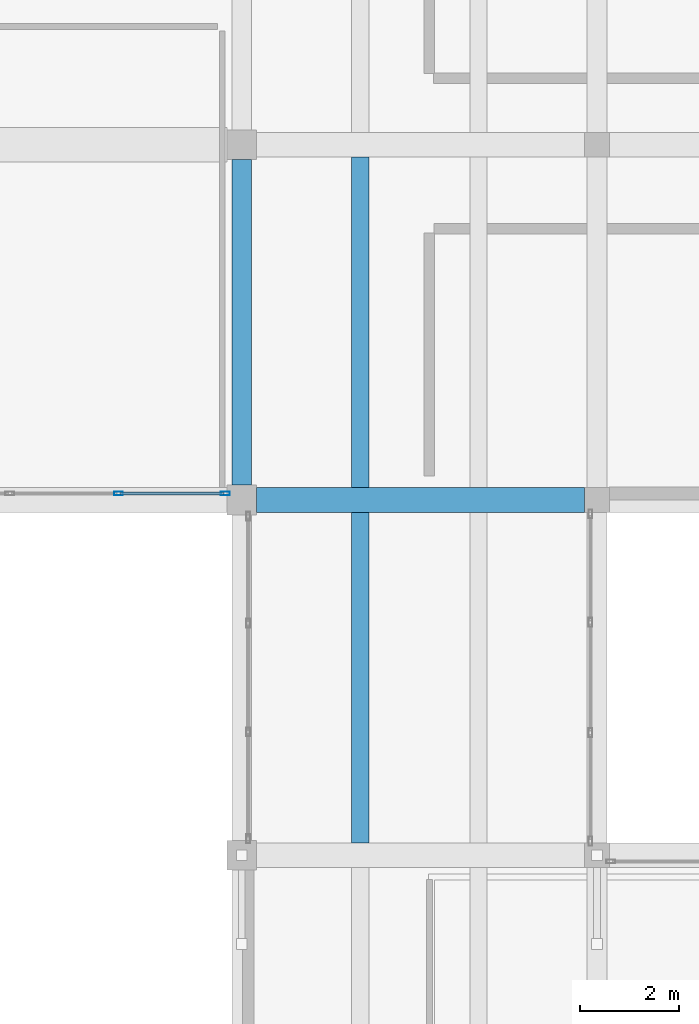
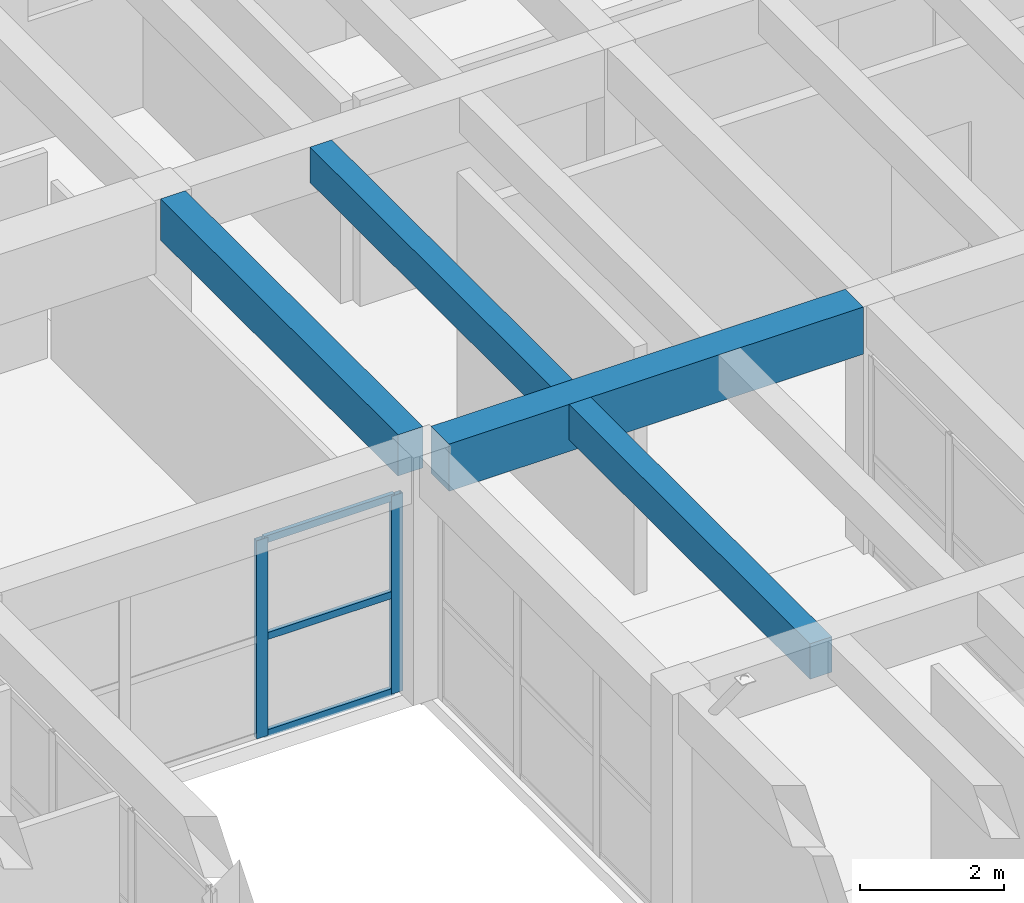
# One storey, part 74 of 153: 5 members, 4 beams, 1 element without a shape of its own.
"""IFC4 building model written with IfcOpenShell, lengths in metres."""

from ifc_helpers import new_model, si_unit, direction, frame, origin, origin_2d, place, context, subcontext, project, spatial, rectangle, hollow_rectangle, extrude, material, material_profile, profile_set, type_object, element, aggregate, save


model = new_model("IFC4")

# Units and contexts
model_context = context("Model", 3, precision=1e-05, world=origin(), true_north=direction((0.0, 1.0)))
body_context = subcontext(model_context, "Body", "Model", "MODEL_VIEW")
ifc_project = project(units=[si_unit("LENGTHUNIT", "METRE"), si_unit("AREAUNIT", "SQUARE_METRE"), si_unit("VOLUMEUNIT", "CUBIC_METRE"), si_unit("PLANEANGLEUNIT", "RADIAN"), si_unit("MASSUNIT", "GRAM", prefix="KILO")], contexts=[model_context])

# Site, building, storey
site_placement = place(None, origin())
site = spatial("IfcSite", under=ifc_project, at=site_placement, CompositionType="ELEMENT")
building_placement = place(site_placement, origin())
building = spatial("IfcBuilding", under=site, at=building_placement, Name="Bramvelor Terrace Health Centre", CompositionType="ELEMENT")
storey_placement = place(building_placement, frame((0.0, 0.0, 4.800048828125)))
storey = spatial("IfcBuildingStorey", under=building, at=storey_placement, Name="L02", CompositionType="ELEMENT", Elevation=4.800048828125)

# Beams
ifc_material_1 = material(Name="Concrete C40/50", Category="concrete")
ifc_material_profile_1 = material_profile(ifc_material_1, rectangle(XDim=0.39990234375, YDim=0.699951171875, at=origin_2d()), Name="RC 400x700")
ifc_profile_set_1 = profile_set([ifc_material_profile_1], Name="Concrete C40/50")
beam_type_1 = type_object("IfcBeamType", Name="BM-RC-G700", PredefinedType="BEAM", material=ifc_profile_set_1)
beam_1_placement = place(storey_placement, frame((43.199951171875, 86.699951171875, 3.849853515625), z_axis=(0.0, 1.0, 0.0), x_axis=(-1.0, 0.0, 0.0)))
element("IfcBeam", 1, at=beam_1_placement, inside=storey, type_object=beam_type_1, Name="L02 Floor Girder", PredefinedType="BEAM", context=body_context, shape_type="SweptSolid", body=[
    extrude(rectangle(XDim=0.39990234375, YDim=0.699951171875, at=origin_2d()), origin(), (0.0, 0.0, 1.0), 6.60009765625),
])
ifc_material_2 = material(Name="Concrete C40/50", Category="concrete")
ifc_material_profile_2 = material_profile(ifc_material_2, rectangle(XDim=0.5, YDim=0.800048828125, at=origin_2d()), Name="RC 500x800")
ifc_profile_set_2 = profile_set([ifc_material_profile_2], Name="Concrete C40/50")
beam_type_2 = type_object("IfcBeamType", Name="BM-RC-G800", PredefinedType="BEAM", material=ifc_profile_set_2)
beam_2_placement = place(storey_placement, frame((43.5, 86.39990234375, 3.800048828125), z_axis=(1.0, 0.0, 0.0), x_axis=(0.0, 1.0, 0.0)))
element("IfcBeam", 2, at=beam_2_placement, inside=storey, type_object=beam_type_2, Name="L02 Floor Girder", PredefinedType="BEAM", context=body_context, shape_type="SweptSolid", body=[
    extrude(rectangle(XDim=0.5, YDim=0.800048828125, at=origin_2d()), origin(), (0.0, 0.0, 1.0), 6.64990234375),
])
ifc_material_3 = material(Name="Concrete C40/50", Category="concrete")
ifc_material_profile_3 = material_profile(ifc_material_3, rectangle(XDim=0.35009765625, YDim=0.60009765625, at=origin_2d()), Name="RC 350x600")
ifc_profile_set_3 = profile_set([ifc_material_profile_3], Name="Concrete C40/50")
beam_type_3 = type_object("IfcBeamType", Name="BM-RC-J600", PredefinedType="JOIST", material=ifc_profile_set_3)
beam_3_placement = place(storey_placement, frame((45.60009765625, 79.449951171875, 3.89990234375), z_axis=(0.0, 1.0, 0.0), x_axis=(-1.0, 0.0, 0.0)))
element("IfcBeam", 3, at=beam_3_placement, inside=storey, type_object=beam_type_3, Name="L02 Secondary Floor Joist", PredefinedType="JOIST", context=body_context, shape_type="SweptSolid", body=[
    extrude(rectangle(XDim=0.35009765625, YDim=0.60009765625, at=origin_2d()), origin(), (0.0, 0.0, 1.0), 6.699951171875),
])
beam_4_placement = place(storey_placement, frame((45.60009765625, 86.64990234375, 3.89990234375), z_axis=(0.0, 1.0, 0.0), x_axis=(-1.0, 0.0, 0.0)))
element("IfcBeam", 4, at=beam_4_placement, inside=storey, type_object=beam_type_3, Name="L02 Secondary Floor Joist", PredefinedType="JOIST", context=body_context, shape_type="SweptSolid", body=[
    extrude(rectangle(XDim=0.35009765625, YDim=0.60009765625, at=origin_2d()), origin(), (0.0, 0.0, 1.0), 6.7001953125),
])

# Curtain wall, members
ifc_material_4 = material(Name="Anodized aluminium and double low-E glass", Category="aluminium")
curtain_wall_type = type_object("IfcCurtainWallType", Name="CW-SYS-12", PredefinedType="NOTDEFINED", material=ifc_material_4)
curtain_wall_placement = place(storey_placement, origin())
curtain_wall = element("IfcCurtainWall", 5, at=curtain_wall_placement, inside=storey, type_object=curtain_wall_type, Name="L02 Unitized Curtain Wall 71", PredefinedType="NOTDEFINED")
ifc_material_5 = material(Name="Anodized aluminium 6063-T6", Category="aluminium")
ifc_material_profile_4 = material_profile(ifc_material_5, hollow_rectangle(XDim=0.074951171875, YDim=0.179931640625, WallThickness=0.00341796875, at=origin_2d()), Name="ALU-MUL 75x180x3.5")
ifc_profile_set_4 = profile_set([ifc_material_profile_4], Name="Anodized aluminium 6063-T6")
member_type_1 = type_object("IfcMemberType", Name="CW-MUL-65x180", PredefinedType="MULLION", material=ifc_profile_set_4)
member_1_placement = place(storey_placement, frame((42.867431640625, 86.530029296875, 0.0), z_axis=(0.0, 0.0, 1.0), x_axis=(0.0, -1.0, 0.0)))
member_1 = element("IfcMember", 6, at=member_1_placement, type_object=member_type_1, Name="CW-12 mullion 1", PredefinedType="MULLION", context=body_context, shape_type="SweptSolid", body=[
    extrude(hollow_rectangle(XDim=0.074951171875, YDim=0.179931640625, WallThickness=0.00341796875, at=origin_2d()), origin(), (0.0, 0.0, 1.0), 3.35986328125),
])
member_2_placement = place(storey_placement, frame((40.70166015625, 86.530029296875, 0.0), z_axis=(0.0, 0.0, 1.0), x_axis=(0.0, -1.0, 0.0)))
member_2 = element("IfcMember", 7, at=member_2_placement, type_object=member_type_1, Name="CW-12 mullion 2", PredefinedType="MULLION", context=body_context, shape_type="SweptSolid", body=[
    extrude(hollow_rectangle(XDim=0.074951171875, YDim=0.179931640625, WallThickness=0.00341796875, at=origin_2d()), origin(), (0.0, 0.0, 1.0), 3.35986328125),
])
ifc_material_6 = material(Name="Anodized aluminium 6063-T6", Category="aluminium")
ifc_material_profile_5 = material_profile(ifc_material_6, hollow_rectangle(XDim=0.06494140625, YDim=0.1201171875, WallThickness=0.0029296875, at=origin_2d()), Name="ALU-TRN 65x120x3.0")
ifc_profile_set_5 = profile_set([ifc_material_profile_5], Name="Anodized aluminium 6063-T6")
member_type_2 = type_object("IfcMemberType", Name="CW-TRN-65x150", PredefinedType="USERDEFINED", material=ifc_profile_set_5)
member_3_placement = place(storey_placement, frame((42.830078125, 86.530029296875, 0.032470703125), z_axis=(-1.0, 0.0, 0.0), x_axis=(0.0, -1.0, 0.0)))
member_3 = element("IfcMember", 8, at=member_3_placement, type_object=member_type_2, Name="CW-12 transom 1.1", ObjectType="TRANSOM", PredefinedType="USERDEFINED", context=body_context, shape_type="SweptSolid", body=[
    extrude(hollow_rectangle(XDim=0.06494140625, YDim=0.1201171875, WallThickness=0.0029296875, at=origin_2d()), origin(), (0.0, 0.0, 1.0), 2.0908203125),
])
member_4_placement = place(storey_placement, frame((42.830078125, 86.530029296875, 1.679931640625), z_axis=(-1.0, 0.0, 0.0), x_axis=(0.0, -1.0, 0.0)))
member_4 = element("IfcMember", 9, at=member_4_placement, type_object=member_type_2, Name="CW-12 transom 1.2", ObjectType="TRANSOM", PredefinedType="USERDEFINED", context=body_context, shape_type="SweptSolid", body=[
    extrude(hollow_rectangle(XDim=0.06494140625, YDim=0.1201171875, WallThickness=0.0029296875, at=origin_2d()), origin(), (0.0, 0.0, 1.0), 2.0908203125),
])
member_5_placement = place(storey_placement, frame((42.830078125, 86.530029296875, 3.327392578125), z_axis=(-1.0, 0.0, 0.0), x_axis=(0.0, -1.0, 0.0)))
member_5 = element("IfcMember", 10, at=member_5_placement, type_object=member_type_2, Name="CW-12 transom 1.3", ObjectType="TRANSOM", PredefinedType="USERDEFINED", context=body_context, shape_type="SweptSolid", body=[
    extrude(hollow_rectangle(XDim=0.06494140625, YDim=0.1201171875, WallThickness=0.0029296875, at=origin_2d()), origin(), (0.0, 0.0, 1.0), 2.0908203125),
])
aggregate(curtain_wall, [member_1, member_2, member_3, member_4, member_5])

save(model, "model.ifc")
